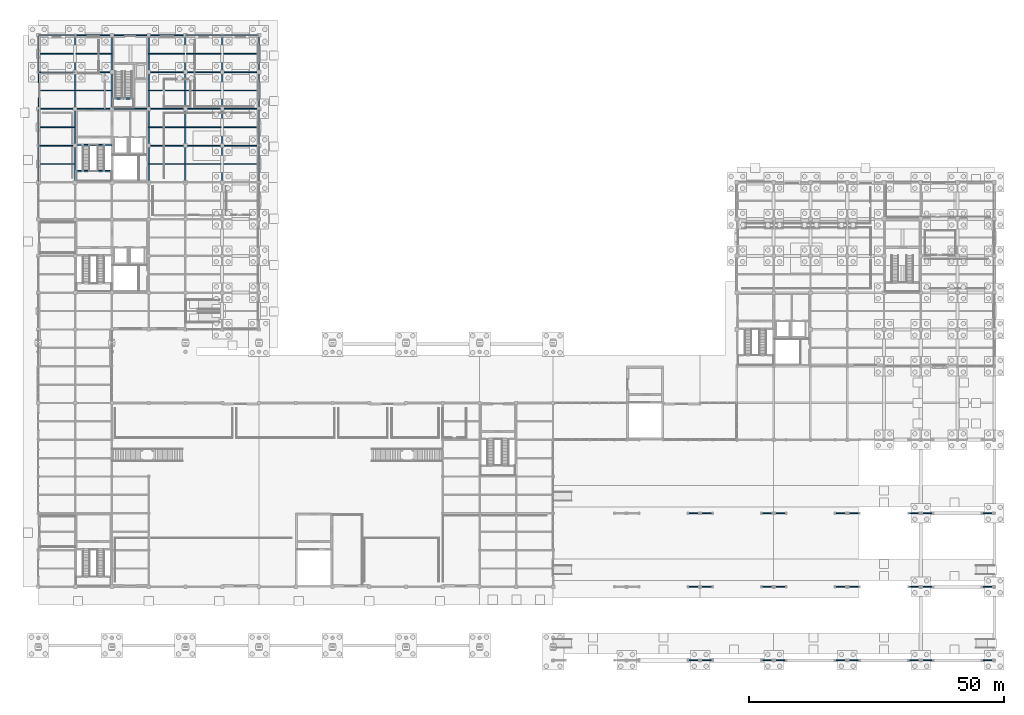
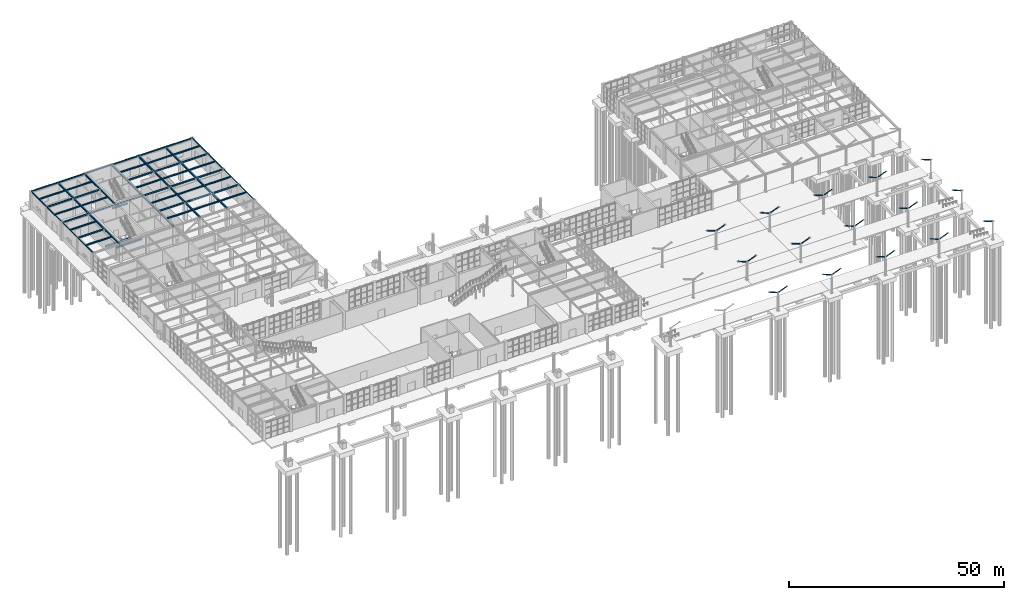
# One storey, part 31 of 75: 68 beams, 27 members.
"""IFC4 building model written with IfcOpenShell, lengths in metres."""

from ifc_helpers import new_model, si_unit, direction, frame, origin, origin_2d, place, context, subcontext, project, spatial, rectangle, hollow_circle, i_section, extrude, material, material_profile, profile_set, type_object, element, save


model = new_model("IFC4")

# Units and contexts
model_context = context("Model", 3, precision=1e-05, world=origin(), true_north=direction((0.0, 1.0)))
body_context = subcontext(model_context, "Body", "Model", "MODEL_VIEW")
ifc_project = project(units=[si_unit("LENGTHUNIT", "METRE"), si_unit("AREAUNIT", "SQUARE_METRE"), si_unit("VOLUMEUNIT", "CUBIC_METRE"), si_unit("PLANEANGLEUNIT", "RADIAN"), si_unit("MASSUNIT", "GRAM", prefix="KILO")], contexts=[model_context])

# Site, building, storey
site_placement = place(None, origin())
site = spatial("IfcSite", under=ifc_project, at=site_placement, CompositionType="ELEMENT")
building_placement = place(site_placement, origin())
building = spatial("IfcBuilding", under=site, at=building_placement, Name="Leyfeld Transit Interchange", CompositionType="ELEMENT")
storey_placement = place(building_placement, origin())
storey = spatial("IfcBuildingStorey", under=building, at=storey_placement, Name="L00", CompositionType="ELEMENT", Elevation=0.0)

# Beams
ifc_material_1 = material(Name="Concrete C35/45", Category="concrete")
ifc_material_profile_1 = material_profile(ifc_material_1, rectangle(XDim=0.300048828125, YDim=0.39990234375, at=origin_2d()), Name="RC 400x300")
ifc_profile_set_1 = profile_set([ifc_material_profile_1], Name="Concrete C35/45")
beam_type_1 = type_object("IfcBeamType", Name="BM-RC-400x300", PredefinedType="LINTEL", material=ifc_profile_set_1)
for number, where, z_axis, x_axis, name in (
    (1, (7.425048828125, 100.89990234375, -0.199951171875), (1.0, 0.0, 0.0), (0.0, 1.0, 0.0), "Core K1 Floor Landing Corbel L00"),
    (2, (7.425048828125, 95.800048828125, 2.5), (1.0, 0.0, 0.0), (0.0, 1.0, 0.0), "Stair ST-01 L00 Half-Landing Corbel"),
):
    element("IfcBeam", number, at=place(storey_placement, frame(where, z_axis=z_axis, x_axis=x_axis)), inside=storey, type_object=beam_type_1, Name=name, PredefinedType="LINTEL", context=body_context, shape_type="SweptSolid", body=[
        extrude(rectangle(XDim=0.300048828125, YDim=0.39990234375, at=origin_2d()), origin(), (0.0, 0.0, 1.0), 6.974853515625),
    ])
beam_1_placement = place(storey_placement, frame((14.60009765625, 110.030029296875, 2.5), z_axis=(1.0, 0.0, 0.0), x_axis=(0.0, 1.0, 0.0)))
element("IfcBeam", 3, at=beam_1_placement, inside=storey, type_object=beam_type_1, Name="Stair ST-02 L00 Half-Landing Corbel", PredefinedType="LINTEL", context=body_context, shape_type="SweptSolid", body=[
    extrude(rectangle(XDim=0.300048828125, YDim=0.39990234375, at=origin_2d()), origin(), (0.0, 0.0, 1.0), 4.099853515625),
])
ifc_material_2 = material(Name="Steel S355J2", Category="steel")
ifc_material_profile_2 = material_profile(ifc_material_2, i_section(OverallWidth=0.300048828125, OverallDepth=0.449951171875, WebThickness=0.013916015625, FlangeThickness=0.02587890625, FilletRadius=0.027099609375, at=origin_2d()), Name="HEB 450")
ifc_profile_set_2 = profile_set([ifc_material_profile_2], Name="Steel S355J2")
beam_type_2 = type_object("IfcBeamType", Name="BM-STL-HEB450", PredefinedType="JOIST", material=ifc_profile_set_2)
for number, where, z_axis, x_axis, name in (
    (4, (7.199951171875, 93.60009765625, 4.85498046875), (0.0, 1.0, 0.0), (-1.0, 0.0, 0.0), "Beam BM-L00-0072_0936-0072_1008"),
    (5, (7.199951171875, 100.800048828125, 4.85498046875), (0.0, 1.0, 0.0), (-1.0, 0.0, 0.0), "Beam BM-L00-0072_1008-0072_1080"),
    (6, (7.199951171875, 108.0, 4.85498046875), (0.0, 1.0, 0.0), (-1.0, 0.0, 0.0), "Beam BM-L00-0072_1080-0072_1152"),
    (7, (7.199951171875, 115.199951171875, 4.85498046875), (0.0, 1.0, 0.0), (-1.0, 0.0, 0.0), "Beam BM-L00-0072_1152-0072_1224"),
    (8, (14.39990234375, 108.0, 4.85498046875), (0.0, 1.0, 0.0), (-1.0, 0.0, 0.0), "Beam BM-L00-0144_1080-0144_1152"),
    (9, (14.39990234375, 115.199951171875, 4.85498046875), (0.0, 1.0, 0.0), (-1.0, 0.0, 0.0), "Beam BM-L00-0144_1152-0144_1224"),
    (10, (21.60009765625, 93.60009765625, 4.85498046875), (0.0, 1.0, 0.0), (-1.0, 0.0, 0.0), "Beam BM-L00-0216_0936-0216_1008"),
    (11, (21.60009765625, 100.800048828125, 4.85498046875), (0.0, 1.0, 0.0), (-1.0, 0.0, 0.0), "Beam BM-L00-0216_1008-0216_1080"),
    (12, (21.60009765625, 108.0, 4.85498046875), (0.0, 1.0, 0.0), (-1.0, 0.0, 0.0), "Beam BM-L00-0216_1080-0216_1152"),
    (13, (21.60009765625, 115.199951171875, 4.85498046875), (0.0, 1.0, 0.0), (-1.0, 0.0, 0.0), "Beam BM-L00-0216_1152-0216_1224"),
    (14, (28.800048828125, 93.60009765625, 4.85498046875), (0.0, 1.0, 0.0), (-1.0, 0.0, 0.0), "Beam BM-L00-0288_0936-0288_1008"),
    (15, (28.800048828125, 100.800048828125, 4.85498046875), (0.0, 1.0, 0.0), (-1.0, 0.0, 0.0), "Beam BM-L00-0288_1008-0288_1080"),
    (16, (28.800048828125, 108.0, 4.85498046875), (0.0, 1.0, 0.0), (-1.0, 0.0, 0.0), "Beam BM-L00-0288_1080-0288_1152"),
    (17, (28.800048828125, 115.199951171875, 4.85498046875), (0.0, 1.0, 0.0), (-1.0, 0.0, 0.0), "Beam BM-L00-0288_1152-0288_1224"),
    (18, (36.0, 93.60009765625, 4.85498046875), (0.0, 1.0, 0.0), (-1.0, 0.0, 0.0), "Beam BM-L00-0360_0936-0360_1008"),
    (19, (36.0, 100.800048828125, 4.85498046875), (0.0, 1.0, 0.0), (-1.0, 0.0, 0.0), "Beam BM-L00-0360_1008-0360_1080"),
    (20, (36.0, 108.0, 4.85498046875), (0.0, 1.0, 0.0), (-1.0, 0.0, 0.0), "Beam BM-L00-0360_1080-0360_1152"),
    (21, (36.0, 115.199951171875, 4.85498046875), (0.0, 1.0, 0.0), (-1.0, 0.0, 0.0), "Beam BM-L00-0360_1152-0360_1224"),
):
    element("IfcBeam", number, at=place(storey_placement, frame(where, z_axis=z_axis, x_axis=x_axis)), inside=storey, type_object=beam_type_2, Name=name, PredefinedType="JOIST", context=body_context, shape_type="SweptSolid", body=[
        extrude(i_section(OverallWidth=0.300048828125, OverallDepth=0.449951171875, WebThickness=0.013916015625, FlangeThickness=0.02587890625, FilletRadius=0.027099609375, at=origin_2d()), origin(), (0.0, 0.0, 1.0), 7.199951171875),
    ])
ifc_material_profile_3 = material_profile(ifc_material_2, i_section(OverallWidth=0.14990234375, OverallDepth=0.300048828125, WebThickness=0.007080078125, FlangeThickness=0.0107421875, FilletRadius=0.014892578125, at=origin_2d()), Name="IPE 300")
ifc_profile_set_3 = profile_set([ifc_material_profile_3], Name="Steel S355J2")
beam_type_3 = type_object("IfcBeamType", Name="BM-STL-IPE300", PredefinedType="SPANDREL", material=ifc_profile_set_3)
for number, where, z_axis, x_axis, name in (
    (22, (0.0, 93.60009765625, 4.929931640625), (0.0, 1.0, 0.0), (-1.0, 0.0, 0.0), "Beam BM-L00-0000_0936-0000_1008"),
    (23, (0.0, 100.800048828125, 4.929931640625), (0.0, 1.0, 0.0), (-1.0, 0.0, 0.0), "Beam BM-L00-0000_1008-0000_1080"),
    (24, (0.0, 108.0, 4.929931640625), (0.0, 1.0, 0.0), (-1.0, 0.0, 0.0), "Beam BM-L00-0000_1080-0000_1152"),
    (25, (0.0, 115.199951171875, 4.929931640625), (0.0, 1.0, 0.0), (-1.0, 0.0, 0.0), "Beam BM-L00-0000_1152-0000_1224"),
    (26, (43.199951171875, 93.60009765625, 4.929931640625), (0.0, 1.0, 0.0), (-1.0, 0.0, 0.0), "Beam BM-L00-0432_0936-0432_1008"),
    (27, (43.199951171875, 100.800048828125, 4.929931640625), (0.0, 1.0, 0.0), (-1.0, 0.0, 0.0), "Beam BM-L00-0432_1008-0432_1080"),
    (28, (43.199951171875, 108.0, 4.929931640625), (0.0, 1.0, 0.0), (-1.0, 0.0, 0.0), "Beam BM-L00-0432_1080-0432_1152"),
    (29, (43.199951171875, 115.199951171875, 4.929931640625), (0.0, 1.0, 0.0), (-1.0, 0.0, 0.0), "Beam BM-L00-0432_1152-0432_1224"),
    (30, (0.0, 122.39990234375, 4.929931640625), (1.0, 0.0, 0.0), (0.0, 1.0, 0.0), "Beam BM-L00-0000_1224-0072_1224"),
    (31, (7.199951171875, 122.39990234375, 4.929931640625), (1.0, 0.0, 0.0), (0.0, 1.0, 0.0), "Beam BM-L00-0072_1224-0144_1224"),
):
    element("IfcBeam", number, at=place(storey_placement, frame(where, z_axis=z_axis, x_axis=x_axis)), inside=storey, type_object=beam_type_3, Name=name, PredefinedType="SPANDREL", context=body_context, shape_type="SweptSolid", body=[
        extrude(i_section(OverallWidth=0.14990234375, OverallDepth=0.300048828125, WebThickness=0.007080078125, FlangeThickness=0.0107421875, FilletRadius=0.014892578125, at=origin_2d()), origin(), (0.0, 0.0, 1.0), 7.199951171875),
    ])
beam_2_placement = place(storey_placement, frame((14.39990234375, 122.39990234375, 4.929931640625), z_axis=(1.0, 0.0, 0.0), x_axis=(0.0, 1.0, 0.0)))
element("IfcBeam", 32, at=beam_2_placement, inside=storey, type_object=beam_type_3, Name="Beam BM-L00-0144_1224-0216_1224", PredefinedType="SPANDREL", context=body_context, shape_type="SweptSolid", body=[
    extrude(i_section(OverallWidth=0.14990234375, OverallDepth=0.300048828125, WebThickness=0.007080078125, FlangeThickness=0.0107421875, FilletRadius=0.014892578125, at=origin_2d()), origin(), (0.0, 0.0, 1.0), 7.2001953125),
])
for number, where, z_axis, x_axis, name in (
    (33, (21.60009765625, 122.39990234375, 4.929931640625), (1.0, 0.0, 0.0), (0.0, 1.0, 0.0), "Beam BM-L00-0216_1224-0288_1224"),
    (34, (28.800048828125, 122.39990234375, 4.929931640625), (1.0, 0.0, 0.0), (0.0, 1.0, 0.0), "Beam BM-L00-0288_1224-0360_1224"),
    (35, (36.0, 122.39990234375, 4.929931640625), (1.0, 0.0, 0.0), (0.0, 1.0, 0.0), "Beam BM-L00-0360_1224-0432_1224"),
):
    element("IfcBeam", number, at=place(storey_placement, frame(where, z_axis=z_axis, x_axis=x_axis)), inside=storey, type_object=beam_type_3, Name=name, PredefinedType="SPANDREL", context=body_context, shape_type="SweptSolid", body=[
        extrude(i_section(OverallWidth=0.14990234375, OverallDepth=0.300048828125, WebThickness=0.007080078125, FlangeThickness=0.0107421875, FilletRadius=0.014892578125, at=origin_2d()), origin(), (0.0, 0.0, 1.0), 7.199951171875),
    ])
ifc_material_profile_4 = material_profile(ifc_material_2, i_section(OverallWidth=0.159912109375, OverallDepth=0.330078125, WebThickness=0.007568359375, FlangeThickness=0.011474609375, FilletRadius=0.01806640625, at=origin_2d()), Name="IPE 330")
ifc_profile_set_4 = profile_set([ifc_material_profile_4], Name="Steel S355J2")
beam_type_4 = type_object("IfcBeamType", Name="BM-STL-IPE330", PredefinedType="BEAM", material=ifc_profile_set_4)
beam_3_placement = place(storey_placement, frame((0.072021484375, 97.199951171875, 4.9150390625), z_axis=(1.0, 0.0, 0.0), x_axis=(0.0, 1.0, 0.0)))
element("IfcBeam", 36, at=beam_3_placement, inside=storey, type_object=beam_type_4, Name="Beam BM-L00-0001_0972-0071_0972", PredefinedType="BEAM", context=body_context, shape_type="SweptSolid", body=[
    extrude(i_section(OverallWidth=0.159912109375, OverallDepth=0.330078125, WebThickness=0.007568359375, FlangeThickness=0.011474609375, FilletRadius=0.01806640625, at=origin_2d()), origin(), (0.0, 0.0, 1.0), 6.98095703125),
])
for number, where, z_axis, x_axis, name in (
    (37, (21.7470703125, 97.199951171875, 4.9150390625), (1.0, 0.0, 0.0), (0.0, 1.0, 0.0), "Beam BM-L00-0217_0972-0287_0972"),
    (38, (28.947021484375, 97.199951171875, 4.9150390625), (1.0, 0.0, 0.0), (0.0, 1.0, 0.0), "Beam BM-L00-0289_0972-0359_0972"),
):
    element("IfcBeam", number, at=place(storey_placement, frame(where, z_axis=z_axis, x_axis=x_axis)), inside=storey, type_object=beam_type_4, Name=name, PredefinedType="BEAM", context=body_context, shape_type="SweptSolid", body=[
        extrude(i_section(OverallWidth=0.159912109375, OverallDepth=0.330078125, WebThickness=0.007568359375, FlangeThickness=0.011474609375, FilletRadius=0.01806640625, at=origin_2d()), origin(), (0.0, 0.0, 1.0), 6.906005859375),
    ])
for number, where, z_axis, x_axis, name in (
    (39, (36.14697265625, 97.199951171875, 4.9150390625), (1.0, 0.0, 0.0), (0.0, 1.0, 0.0), "Beam BM-L00-0361_0972-0431_0972"),
    (40, (0.072021484375, 104.39990234375, 4.9150390625), (1.0, 0.0, 0.0), (0.0, 1.0, 0.0), "Beam BM-L00-0001_1044-0071_1044"),
):
    element("IfcBeam", number, at=place(storey_placement, frame(where, z_axis=z_axis, x_axis=x_axis)), inside=storey, type_object=beam_type_4, Name=name, PredefinedType="BEAM", context=body_context, shape_type="SweptSolid", body=[
        extrude(i_section(OverallWidth=0.159912109375, OverallDepth=0.330078125, WebThickness=0.007568359375, FlangeThickness=0.011474609375, FilletRadius=0.01806640625, at=origin_2d()), origin(), (0.0, 0.0, 1.0), 6.98095703125),
    ])
for number, where, z_axis, x_axis, name in (
    (41, (21.7470703125, 104.39990234375, 4.9150390625), (1.0, 0.0, 0.0), (0.0, 1.0, 0.0), "Beam BM-L00-0217_1044-0287_1044"),
    (42, (28.947021484375, 104.39990234375, 4.9150390625), (1.0, 0.0, 0.0), (0.0, 1.0, 0.0), "Beam BM-L00-0289_1044-0359_1044"),
):
    element("IfcBeam", number, at=place(storey_placement, frame(where, z_axis=z_axis, x_axis=x_axis)), inside=storey, type_object=beam_type_4, Name=name, PredefinedType="BEAM", context=body_context, shape_type="SweptSolid", body=[
        extrude(i_section(OverallWidth=0.159912109375, OverallDepth=0.330078125, WebThickness=0.007568359375, FlangeThickness=0.011474609375, FilletRadius=0.01806640625, at=origin_2d()), origin(), (0.0, 0.0, 1.0), 6.906005859375),
    ])
for number, where, z_axis, x_axis, name in (
    (43, (36.14697265625, 104.39990234375, 4.9150390625), (1.0, 0.0, 0.0), (0.0, 1.0, 0.0), "Beam BM-L00-0361_1044-0431_1044"),
    (44, (0.072021484375, 111.60009765625, 4.9150390625), (1.0, 0.0, 0.0), (0.0, 1.0, 0.0), "Beam BM-L00-0001_1116-0071_1116"),
):
    element("IfcBeam", number, at=place(storey_placement, frame(where, z_axis=z_axis, x_axis=x_axis)), inside=storey, type_object=beam_type_4, Name=name, PredefinedType="BEAM", context=body_context, shape_type="SweptSolid", body=[
        extrude(i_section(OverallWidth=0.159912109375, OverallDepth=0.330078125, WebThickness=0.007568359375, FlangeThickness=0.011474609375, FilletRadius=0.01806640625, at=origin_2d()), origin(), (0.0, 0.0, 1.0), 6.98095703125),
    ])
for number, where, z_axis, x_axis, name in (
    (45, (7.346923828125, 111.60009765625, 4.9150390625), (1.0, 0.0, 0.0), (0.0, 1.0, 0.0), "Beam BM-L00-0073_1116-0143_1116"),
    (46, (21.7470703125, 111.60009765625, 4.9150390625), (1.0, 0.0, 0.0), (0.0, 1.0, 0.0), "Beam BM-L00-0217_1116-0287_1116"),
    (47, (28.947021484375, 111.60009765625, 4.9150390625), (1.0, 0.0, 0.0), (0.0, 1.0, 0.0), "Beam BM-L00-0289_1116-0359_1116"),
):
    element("IfcBeam", number, at=place(storey_placement, frame(where, z_axis=z_axis, x_axis=x_axis)), inside=storey, type_object=beam_type_4, Name=name, PredefinedType="BEAM", context=body_context, shape_type="SweptSolid", body=[
        extrude(i_section(OverallWidth=0.159912109375, OverallDepth=0.330078125, WebThickness=0.007568359375, FlangeThickness=0.011474609375, FilletRadius=0.01806640625, at=origin_2d()), origin(), (0.0, 0.0, 1.0), 6.906005859375),
    ])
for number, where, z_axis, x_axis, name in (
    (48, (36.14697265625, 111.60009765625, 4.9150390625), (1.0, 0.0, 0.0), (0.0, 1.0, 0.0), "Beam BM-L00-0361_1116-0431_1116"),
    (49, (0.072021484375, 118.800048828125, 4.9150390625), (1.0, 0.0, 0.0), (0.0, 1.0, 0.0), "Beam BM-L00-0001_1188-0071_1188"),
):
    element("IfcBeam", number, at=place(storey_placement, frame(where, z_axis=z_axis, x_axis=x_axis)), inside=storey, type_object=beam_type_4, Name=name, PredefinedType="BEAM", context=body_context, shape_type="SweptSolid", body=[
        extrude(i_section(OverallWidth=0.159912109375, OverallDepth=0.330078125, WebThickness=0.007568359375, FlangeThickness=0.011474609375, FilletRadius=0.01806640625, at=origin_2d()), origin(), (0.0, 0.0, 1.0), 6.98095703125),
    ])
for number, where, z_axis, x_axis, name in (
    (50, (7.346923828125, 118.800048828125, 4.9150390625), (1.0, 0.0, 0.0), (0.0, 1.0, 0.0), "Beam BM-L00-0073_1188-0143_1188"),
    (51, (21.7470703125, 118.800048828125, 4.9150390625), (1.0, 0.0, 0.0), (0.0, 1.0, 0.0), "Beam BM-L00-0217_1188-0287_1188"),
    (52, (28.947021484375, 118.800048828125, 4.9150390625), (1.0, 0.0, 0.0), (0.0, 1.0, 0.0), "Beam BM-L00-0289_1188-0359_1188"),
):
    element("IfcBeam", number, at=place(storey_placement, frame(where, z_axis=z_axis, x_axis=x_axis)), inside=storey, type_object=beam_type_4, Name=name, PredefinedType="BEAM", context=body_context, shape_type="SweptSolid", body=[
        extrude(i_section(OverallWidth=0.159912109375, OverallDepth=0.330078125, WebThickness=0.007568359375, FlangeThickness=0.011474609375, FilletRadius=0.01806640625, at=origin_2d()), origin(), (0.0, 0.0, 1.0), 6.906005859375),
    ])
beam_4_placement = place(storey_placement, frame((36.14697265625, 118.800048828125, 4.9150390625), z_axis=(1.0, 0.0, 0.0), x_axis=(0.0, 1.0, 0.0)))
element("IfcBeam", 53, at=beam_4_placement, inside=storey, type_object=beam_type_4, Name="Beam BM-L00-0361_1188-0431_1188", PredefinedType="BEAM", context=body_context, shape_type="SweptSolid", body=[
    extrude(i_section(OverallWidth=0.159912109375, OverallDepth=0.330078125, WebThickness=0.007568359375, FlangeThickness=0.011474609375, FilletRadius=0.01806640625, at=origin_2d()), origin(), (0.0, 0.0, 1.0), 6.98095703125),
])
ifc_material_profile_5 = material_profile(ifc_material_2, i_section(OverallWidth=0.18994140625, OverallDepth=0.449951171875, WebThickness=0.009521484375, FlangeThickness=0.0146484375, FilletRadius=0.02099609375, at=origin_2d()), Name="IPE 450")
ifc_profile_set_5 = profile_set([ifc_material_profile_5], Name="Steel S355J2")
beam_type_5 = type_object("IfcBeamType", Name="BM-STL-IPE450", PredefinedType="BEAM", material=ifc_profile_set_5)
for number, where, z_axis, x_axis, name in (
    (54, (0.0, 100.800048828125, 4.85498046875), (1.0, 0.0, 0.0), (0.0, 1.0, 0.0), "Beam BM-L00-0000_1008-0072_1008"),
    (55, (21.60009765625, 100.800048828125, 4.85498046875), (1.0, 0.0, 0.0), (0.0, 1.0, 0.0), "Beam BM-L00-0216_1008-0288_1008"),
    (56, (28.800048828125, 100.800048828125, 4.85498046875), (1.0, 0.0, 0.0), (0.0, 1.0, 0.0), "Beam BM-L00-0288_1008-0360_1008"),
    (57, (36.0, 100.800048828125, 4.85498046875), (1.0, 0.0, 0.0), (0.0, 1.0, 0.0), "Beam BM-L00-0360_1008-0432_1008"),
    (58, (0.0, 108.0, 4.85498046875), (1.0, 0.0, 0.0), (0.0, 1.0, 0.0), "Beam BM-L00-0000_1080-0072_1080"),
    (59, (7.199951171875, 108.0, 4.85498046875), (1.0, 0.0, 0.0), (0.0, 1.0, 0.0), "Beam BM-L00-0072_1080-0144_1080"),
):
    element("IfcBeam", number, at=place(storey_placement, frame(where, z_axis=z_axis, x_axis=x_axis)), inside=storey, type_object=beam_type_5, Name=name, PredefinedType="BEAM", context=body_context, shape_type="SweptSolid", body=[
        extrude(i_section(OverallWidth=0.18994140625, OverallDepth=0.449951171875, WebThickness=0.009521484375, FlangeThickness=0.0146484375, FilletRadius=0.02099609375, at=origin_2d()), origin(), (0.0, 0.0, 1.0), 7.199951171875),
    ])
beam_5_placement = place(storey_placement, frame((14.39990234375, 108.0, 4.85498046875), z_axis=(1.0, 0.0, 0.0), x_axis=(0.0, 1.0, 0.0)))
element("IfcBeam", 60, at=beam_5_placement, inside=storey, type_object=beam_type_5, Name="Beam BM-L00-0144_1080-0216_1080", PredefinedType="BEAM", context=body_context, shape_type="SweptSolid", body=[
    extrude(i_section(OverallWidth=0.18994140625, OverallDepth=0.449951171875, WebThickness=0.009521484375, FlangeThickness=0.0146484375, FilletRadius=0.02099609375, at=origin_2d()), origin(), (0.0, 0.0, 1.0), 7.2001953125),
])
for number, where, z_axis, x_axis, name in (
    (61, (21.60009765625, 108.0, 4.85498046875), (1.0, 0.0, 0.0), (0.0, 1.0, 0.0), "Beam BM-L00-0216_1080-0288_1080"),
    (62, (28.800048828125, 108.0, 4.85498046875), (1.0, 0.0, 0.0), (0.0, 1.0, 0.0), "Beam BM-L00-0288_1080-0360_1080"),
    (63, (36.0, 108.0, 4.85498046875), (1.0, 0.0, 0.0), (0.0, 1.0, 0.0), "Beam BM-L00-0360_1080-0432_1080"),
    (64, (0.0, 115.199951171875, 4.85498046875), (1.0, 0.0, 0.0), (0.0, 1.0, 0.0), "Beam BM-L00-0000_1152-0072_1152"),
    (65, (7.199951171875, 115.199951171875, 4.85498046875), (1.0, 0.0, 0.0), (0.0, 1.0, 0.0), "Beam BM-L00-0072_1152-0144_1152"),
    (66, (21.60009765625, 115.199951171875, 4.85498046875), (1.0, 0.0, 0.0), (0.0, 1.0, 0.0), "Beam BM-L00-0216_1152-0288_1152"),
    (67, (28.800048828125, 115.199951171875, 4.85498046875), (1.0, 0.0, 0.0), (0.0, 1.0, 0.0), "Beam BM-L00-0288_1152-0360_1152"),
    (68, (36.0, 115.199951171875, 4.85498046875), (1.0, 0.0, 0.0), (0.0, 1.0, 0.0), "Beam BM-L00-0360_1152-0432_1152"),
):
    element("IfcBeam", number, at=place(storey_placement, frame(where, z_axis=z_axis, x_axis=x_axis)), inside=storey, type_object=beam_type_5, Name=name, PredefinedType="BEAM", context=body_context, shape_type="SweptSolid", body=[
        extrude(i_section(OverallWidth=0.18994140625, OverallDepth=0.449951171875, WebThickness=0.009521484375, FlangeThickness=0.0146484375, FilletRadius=0.02099609375, at=origin_2d()), origin(), (0.0, 0.0, 1.0), 7.199951171875),
    ])

# Members
ifc_material_profile_6 = material_profile(ifc_material_2, hollow_circle(Radius=0.136474609375, WallThickness=0.012451171875, at=origin_2d()), Name="CHS 273x12.5")
ifc_profile_set_6 = profile_set([ifc_material_profile_6], Name="Steel S355J2")
member_type_1 = type_object("IfcMemberType", Name="MEM-VSTR-273", PredefinedType="STRUT", material=ifc_profile_set_6)
for number, where, z_axis, x_axis, name in (
    (69, (129.784912109375, 0.0, 5.18994140625), (0.932191579147, 0.0, 0.361965274257), (0.0, 1.0, 0.0), "Bus Canopy V-Strut 011"),
    (70, (129.784912109375, 14.39990234375, 5.18994140625), (0.932191579147, 0.0, 0.361965274257), (0.0, 1.0, 0.0), "Bus Canopy V-Strut 013"),
    (71, (129.784912109375, 28.800048828125, 5.18994140625), (0.932191579147, 0.0, 0.361965274257), (0.0, 1.0, 0.0), "Bus Canopy V-Strut 015"),
):
    element("IfcMember", number, at=place(storey_placement, frame(where, z_axis=z_axis, x_axis=x_axis)), inside=storey, type_object=member_type_1, Name=name, PredefinedType="STRUT", context=body_context, shape_type="SweptSolid", body=[
        extrude(hollow_circle(Radius=0.136474609375, WallThickness=0.012451171875, at=origin_2d()), origin(), (0.0, 0.0, 1.0), 2.376220703125),
    ])
for number, where, z_axis, x_axis, name in (
    (72, (144.18505859375, 0.0, 5.18994140625), (0.932178115879, 0.0, 0.361999945133), (0.0, 1.0, 0.0), "Bus Canopy V-Strut 019"),
    (73, (144.18505859375, 14.39990234375, 5.18994140625), (0.932178115879, 0.0, 0.361999945133), (0.0, 1.0, 0.0), "Bus Canopy V-Strut 021"),
    (74, (144.18505859375, 28.800048828125, 5.18994140625), (0.932178115879, 0.0, 0.361999945133), (0.0, 1.0, 0.0), "Bus Canopy V-Strut 023"),
):
    element("IfcMember", number, at=place(storey_placement, frame(where, z_axis=z_axis, x_axis=x_axis)), inside=storey, type_object=member_type_1, Name=name, PredefinedType="STRUT", context=body_context, shape_type="SweptSolid", body=[
        extrude(hollow_circle(Radius=0.136474609375, WallThickness=0.012451171875, at=origin_2d()), origin(), (0.0, 0.0, 1.0), 2.3759765625),
    ])
for number, where, z_axis, x_axis, name in (
    (75, (158.5849609375, 0.0, 5.18994140625), (0.932191579147, 0.0, 0.361965274257), (0.0, 1.0, 0.0), "Bus Canopy V-Strut 027"),
    (76, (158.5849609375, 14.39990234375, 5.18994140625), (0.932191579147, 0.0, 0.361965274257), (0.0, 1.0, 0.0), "Bus Canopy V-Strut 029"),
    (77, (158.5849609375, 28.800048828125, 5.18994140625), (0.932191579147, 0.0, 0.361965274257), (0.0, 1.0, 0.0), "Bus Canopy V-Strut 031"),
):
    element("IfcMember", number, at=place(storey_placement, frame(where, z_axis=z_axis, x_axis=x_axis)), inside=storey, type_object=member_type_1, Name=name, PredefinedType="STRUT", context=body_context, shape_type="SweptSolid", body=[
        extrude(hollow_circle(Radius=0.136474609375, WallThickness=0.012451171875, at=origin_2d()), origin(), (0.0, 0.0, 1.0), 2.376220703125),
    ])
for number, where, z_axis, x_axis, name in (
    (78, (172.985107421875, 0.0, 5.18994140625), (0.932178115879, 0.0, 0.361999945133), (0.0, 1.0, 0.0), "Bus Canopy V-Strut 035"),
    (79, (172.985107421875, 14.39990234375, 5.18994140625), (0.932178115879, 0.0, 0.361999945133), (0.0, 1.0, 0.0), "Bus Canopy V-Strut 037"),
    (80, (172.985107421875, 28.800048828125, 5.18994140625), (0.932178115879, 0.0, 0.361999945133), (0.0, 1.0, 0.0), "Bus Canopy V-Strut 039"),
):
    element("IfcMember", number, at=place(storey_placement, frame(where, z_axis=z_axis, x_axis=x_axis)), inside=storey, type_object=member_type_1, Name=name, PredefinedType="STRUT", context=body_context, shape_type="SweptSolid", body=[
        extrude(hollow_circle(Radius=0.136474609375, WallThickness=0.012451171875, at=origin_2d()), origin(), (0.0, 0.0, 1.0), 2.3759765625),
    ])
ifc_material_profile_7 = material_profile(ifc_material_2, hollow_circle(Radius=0.161865234375, WallThickness=0.01611328125, at=origin_2d()), Name="CHS 323.9x16")
ifc_profile_set_7 = profile_set([ifc_material_profile_7], Name="Steel S355J2")
member_type_2 = type_object("IfcMemberType", Name="MEM-VSTR-323", PredefinedType="STRUT", material=ifc_profile_set_7)
for number, where, z_axis, x_axis, name in (
    (81, (129.4150390625, 0.0, 5.18994140625), (-0.932191579147, 0.0, 0.361965274257), (0.0, -1.0, 0.0), "Bus Canopy V-Strut 010"),
    (82, (129.4150390625, 14.39990234375, 5.18994140625), (-0.932191579147, 0.0, 0.361965274257), (0.0, -1.0, 0.0), "Bus Canopy V-Strut 012"),
    (83, (129.4150390625, 28.800048828125, 5.18994140625), (-0.932191579147, 0.0, 0.361965274257), (0.0, -1.0, 0.0), "Bus Canopy V-Strut 014"),
):
    element("IfcMember", number, at=place(storey_placement, frame(where, z_axis=z_axis, x_axis=x_axis)), inside=storey, type_object=member_type_2, Name=name, PredefinedType="STRUT", context=body_context, shape_type="SweptSolid", body=[
        extrude(hollow_circle(Radius=0.161865234375, WallThickness=0.01611328125, at=origin_2d()), origin(), (0.0, 0.0, 1.0), 2.376220703125),
    ])
for number, where, z_axis, x_axis, name in (
    (84, (143.81494140625, 0.0, 5.18994140625), (-0.932178115879, 0.0, 0.361999945133), (0.0, -1.0, 0.0), "Bus Canopy V-Strut 018"),
    (85, (143.81494140625, 14.39990234375, 5.18994140625), (-0.932178115879, 0.0, 0.361999945133), (0.0, -1.0, 0.0), "Bus Canopy V-Strut 020"),
    (86, (143.81494140625, 28.800048828125, 5.18994140625), (-0.932178115879, 0.0, 0.361999945133), (0.0, -1.0, 0.0), "Bus Canopy V-Strut 022"),
):
    element("IfcMember", number, at=place(storey_placement, frame(where, z_axis=z_axis, x_axis=x_axis)), inside=storey, type_object=member_type_2, Name=name, PredefinedType="STRUT", context=body_context, shape_type="SweptSolid", body=[
        extrude(hollow_circle(Radius=0.161865234375, WallThickness=0.01611328125, at=origin_2d()), origin(), (0.0, 0.0, 1.0), 2.3759765625),
    ])
for number, where, z_axis, x_axis, name in (
    (87, (158.215087890625, 0.0, 5.18994140625), (-0.932191579147, 0.0, 0.361965274257), (0.0, -1.0, 0.0), "Bus Canopy V-Strut 026"),
    (88, (158.215087890625, 14.39990234375, 5.18994140625), (-0.932191579147, 0.0, 0.361965274257), (0.0, -1.0, 0.0), "Bus Canopy V-Strut 028"),
    (89, (158.215087890625, 28.800048828125, 5.18994140625), (-0.932191579147, 0.0, 0.361965274257), (0.0, -1.0, 0.0), "Bus Canopy V-Strut 030"),
    (90, (172.614990234375, 0.0, 5.18994140625), (-0.932191579147, 0.0, 0.361965274257), (0.0, -1.0, 0.0), "Bus Canopy V-Strut 034"),
    (91, (172.614990234375, 14.39990234375, 5.18994140625), (-0.932191579147, 0.0, 0.361965274257), (0.0, -1.0, 0.0), "Bus Canopy V-Strut 036"),
    (92, (172.614990234375, 28.800048828125, 5.18994140625), (-0.932191579147, 0.0, 0.361965274257), (0.0, -1.0, 0.0), "Bus Canopy V-Strut 038"),
):
    element("IfcMember", number, at=place(storey_placement, frame(where, z_axis=z_axis, x_axis=x_axis)), inside=storey, type_object=member_type_2, Name=name, PredefinedType="STRUT", context=body_context, shape_type="SweptSolid", body=[
        extrude(hollow_circle(Radius=0.161865234375, WallThickness=0.01611328125, at=origin_2d()), origin(), (0.0, 0.0, 1.0), 2.376220703125),
    ])
for number, where, z_axis, x_axis, name in (
    (93, (187.014892578125, 0.0, 5.18994140625), (-0.932178115879, 0.0, 0.361999945133), (0.0, -1.0, 0.0), "Bus Canopy V-Strut 042"),
    (94, (187.014892578125, 14.39990234375, 5.18994140625), (-0.932178115879, 0.0, 0.361999945133), (0.0, -1.0, 0.0), "Bus Canopy V-Strut 043"),
    (95, (187.014892578125, 28.800048828125, 5.18994140625), (-0.932178115879, 0.0, 0.361999945133), (0.0, -1.0, 0.0), "Bus Canopy V-Strut 044"),
):
    element("IfcMember", number, at=place(storey_placement, frame(where, z_axis=z_axis, x_axis=x_axis)), inside=storey, type_object=member_type_2, Name=name, PredefinedType="STRUT", context=body_context, shape_type="SweptSolid", body=[
        extrude(hollow_circle(Radius=0.161865234375, WallThickness=0.01611328125, at=origin_2d()), origin(), (0.0, 0.0, 1.0), 2.3759765625),
    ])

save(model, "model.ifc")
